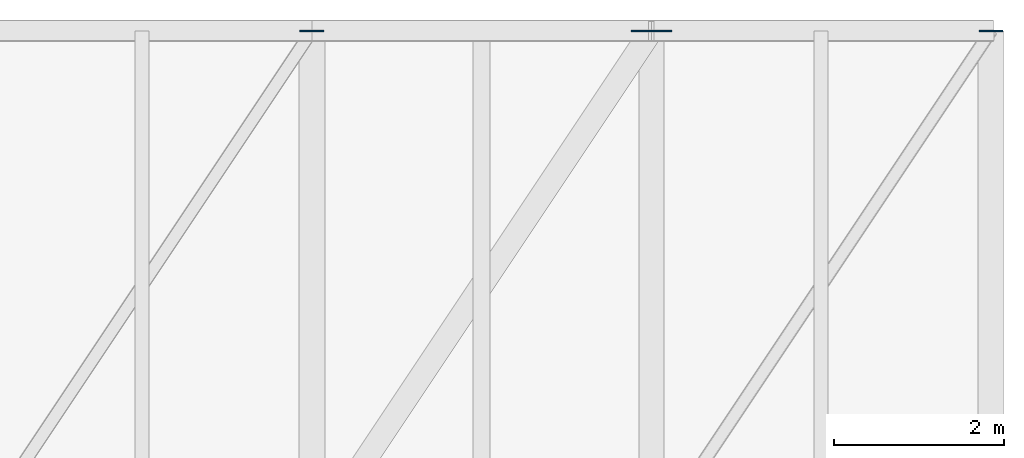
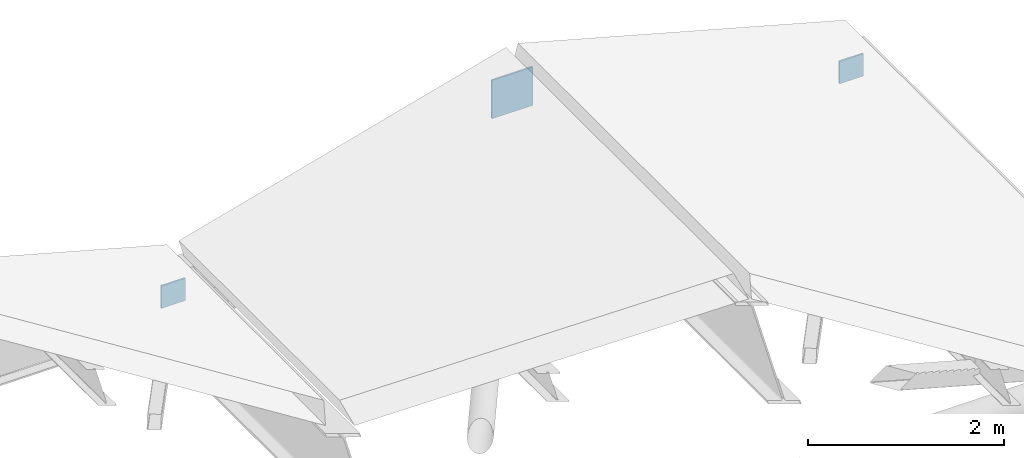
# One storey, part 26 of 27: 3 plates.
"""IFC4 building model written with IfcOpenShell, lengths in metres."""

from ifc_helpers import new_model, si_unit, direction, frame, origin, origin_2d, place, context, subcontext, project, spatial, rectangle, extrude, material, layer, layer_set, type_object, element, save


model = new_model("IFC4")

# Units and contexts
model_context = context("Model", 3, precision=1e-05, world=origin(), true_north=direction((0.0, 1.0)))
body_context = subcontext(model_context, "Body", "Model", "MODEL_VIEW")
ifc_project = project(units=[si_unit("LENGTHUNIT", "METRE"), si_unit("AREAUNIT", "SQUARE_METRE"), si_unit("VOLUMEUNIT", "CUBIC_METRE"), si_unit("PLANEANGLEUNIT", "RADIAN"), si_unit("MASSUNIT", "GRAM", prefix="KILO")], contexts=[model_context])

# Site, building, storey
site_placement = place(None, origin())
site = spatial("IfcSite", under=ifc_project, at=site_placement, CompositionType="ELEMENT")
building_placement = place(site_placement, origin())
building = spatial("IfcBuilding", under=site, at=building_placement, Name="Verrall Gate Interchange", CompositionType="ELEMENT")
storey_placement = place(building_placement, frame((0.0, 0.0, 32.800048828125)))
storey = spatial("IfcBuildingStorey", under=building, at=storey_placement, Name="RF", CompositionType="ELEMENT", Elevation=32.800048828125)

# Plates
ifc_material = material(Name="Structural Steel CSA G40.21 350WT Cat 4", Category="steel")
ifc_layer = layer(ifc_material, 0.02001953125)
ifc_layer_set = layer_set([ifc_layer], Name="Structural Steel CSA G40.21 350WT Cat 4")
plate_type = type_object("IfcPlateType", Name="GP-01 Gusset Plate 20", PredefinedType="SHEET", material=ifc_layer_set)
plate_placement = place(storey_placement, frame((104.0, 48.0, -15.9482421875), z_axis=(0.0, 0.0, 1.0), x_axis=(1.0, 0.0, 0.0)))
element("IfcPlate", 1, at=plate_placement, inside=storey, type_object=plate_type, Name="Folded-Plate Ridge Gusset Node KN-R9-6", PredefinedType="SHEET", context=body_context, shape_type="SweptSolid", body=[
    extrude(rectangle(XDim=0.47998046875, YDim=0.02001953125, at=origin_2d()), origin(), (0.0, 0.0, 1.0), 0.47998046875),
])
for number, where, z_axis, x_axis, name in (
    (2, (100.0, 48.0, -16.9482421875), (0.0, 0.0, 1.0), (1.0, 0.0, 0.0), "Folded-Plate Valley Gusset Node KN-V9-0-6"),
    (3, (108.0, 48.0, -16.9482421875), (0.0, 0.0, 1.0), (1.0, 0.0, 0.0), "Folded-Plate Valley Gusset Node KN-V9-1-6"),
):
    element("IfcPlate", number, at=place(storey_placement, frame(where, z_axis=z_axis, x_axis=x_axis)), inside=storey, type_object=plate_type, Name=name, PredefinedType="SHEET", context=body_context, shape_type="SweptSolid", body=[
        extrude(rectangle(XDim=0.280029296875, YDim=0.02001953125, at=origin_2d()), origin(), (0.0, 0.0, 1.0), 0.280029296875),
    ])

save(model, "model.ifc")
